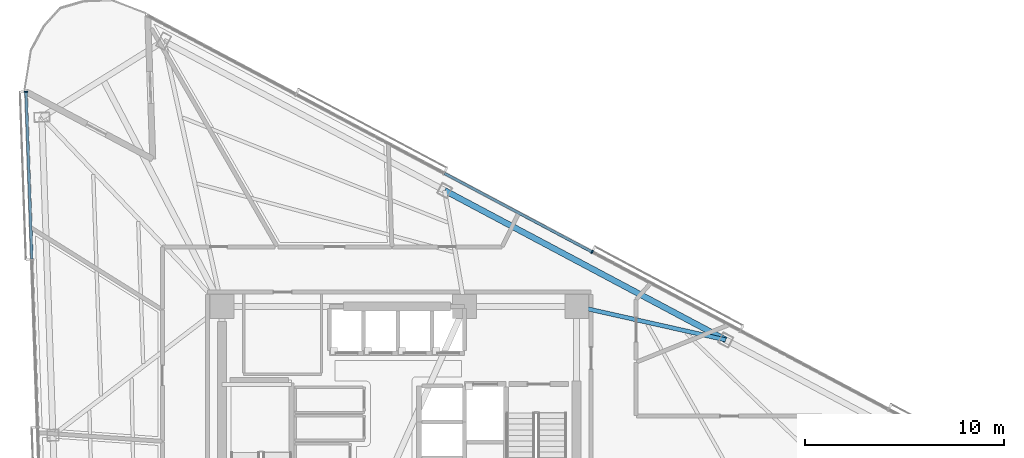
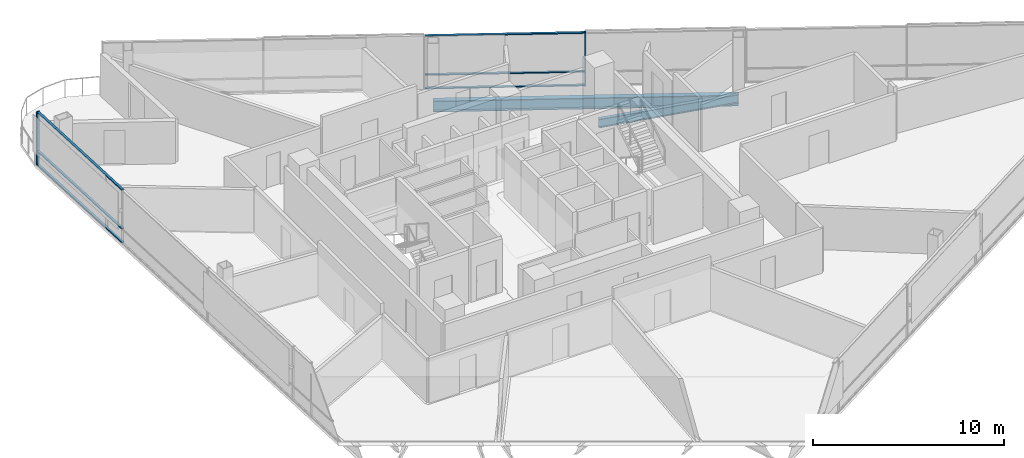
# One storey, part 8 of 20: 8 members, 2 beams, 2 elements without a shape of their own.
"""IFC4 building model written with IfcOpenShell, lengths in metres."""

from ifc_helpers import new_model, si_unit, direction, frame, origin, origin_2d, place, context, subcontext, project, spatial, rectangle, i_section, extrude, material, layer, layer_set, material_profile, profile_set, type_object, element, aggregate, save


model = new_model("IFC4")

# Units and contexts
model_context = context("Model", 3, precision=1e-05, world=origin(), true_north=direction((0.0, 1.0)))
body_context = subcontext(model_context, "Body", "Model", "MODEL_VIEW")
ifc_project = project(units=[si_unit("LENGTHUNIT", "METRE"), si_unit("AREAUNIT", "SQUARE_METRE"), si_unit("VOLUMEUNIT", "CUBIC_METRE"), si_unit("PLANEANGLEUNIT", "RADIAN"), si_unit("MASSUNIT", "GRAM", prefix="KILO")], contexts=[model_context])

# Site, building, storey
site_placement = place(None, origin())
site = spatial("IfcSite", under=ifc_project, at=site_placement, CompositionType="ELEMENT")
building_placement = place(site_placement, origin())
building = spatial("IfcBuilding", under=site, at=building_placement, Name="Tharavind Bronze Gate", CompositionType="ELEMENT")
storey_placement = place(building_placement, frame((0.0, 0.0, 149.60009765625)))
storey = spatial("IfcBuildingStorey", under=building, at=storey_placement, Name="L38", CompositionType="ELEMENT", Elevation=149.60009765625)

# Curtain wall, member
ifc_material_1 = material(Name="Anodised Bronze Aluminium", Category="aluminium")
ifc_layer = layer(ifc_material_1, 0.219970703125)
ifc_layer_set = layer_set([ifc_layer], Name="Anodised Bronze Aluminium")
curtain_wall_type = type_object("IfcCurtainWallType", Name="UNITISED CURTAIN WALL MID OFFICE", PredefinedType="USERDEFINED", material=ifc_layer_set)
curtain_wall_1_placement = place(storey_placement, origin())
curtain_wall_1 = element("IfcCurtainWall", 1, at=curtain_wall_1_placement, inside=storey, type_object=curtain_wall_type, Name="L38 unitised curtain wall mid office CW-L38-S1", ObjectType="UNITISED CURTAIN WALL", PredefinedType="USERDEFINED")
member_type_1 = type_object("IfcMemberType", Name="CURTAIN WALL BRONZE MULLION 65X180", PredefinedType="MULLION", material=ifc_material_1)
member_1_placement = place(storey_placement, frame((-18.7197265625, 18.364501953125, 0.0), z_axis=(0.0, 0.0, 1.0), x_axis=(0.034899496703, -0.999390827019, 0.0)))
member_1 = element("IfcMember", 2, at=member_1_placement, type_object=member_type_1, Name="CW-L38-S1 mullion 1", PredefinedType="MULLION", context=body_context, shape_type="SweptSolid", body=[
    extrude(rectangle(XDim=0.06494140625, YDim=0.179931640625, at=origin_2d()), origin(), (0.0, 0.0, 1.0), 3.409912109375),
])

curtain_wall_2_placement = place(storey_placement, origin())
curtain_wall_2 = element("IfcCurtainWall", 3, at=curtain_wall_2_placement, inside=storey, type_object=curtain_wall_type, Name="L38 unitised curtain wall mid office CW-L38-S3", ObjectType="UNITISED CURTAIN WALL", PredefinedType="USERDEFINED")
member_2_placement = place(storey_placement, frame((9.6748046875, 10.32861328125, 0.0), z_axis=(0.0, 0.0, 1.0), x_axis=(-0.882947592859, 0.469471562786, 0.0)))
member_2 = element("IfcMember", 4, at=member_2_placement, type_object=member_type_1, Name="CW-L38-S3 mullion 4", PredefinedType="MULLION", context=body_context, shape_type="SweptSolid", body=[
    extrude(rectangle(XDim=0.06494140625, YDim=0.179931640625, at=origin_2d()), origin(), (0.0, 0.0, 1.0), 3.409912109375),
])

# Member
member_type_2 = type_object("IfcMemberType", Name="CURTAIN WALL BRONZE TRANSOM 65X140", PredefinedType="USERDEFINED", material=ifc_material_1)
member_3_placement = place(storey_placement, frame((-18.572998046875, 14.159912109375, 0.0), z_axis=(0.0, 0.0, 1.0), x_axis=(0.034899496703, -0.999390827019, 0.0)))
member_3 = element("IfcMember", 5, at=member_3_placement, type_object=member_type_2, Name="CW-L38-S1 transom TB1", ObjectType="TRANSOM", PredefinedType="USERDEFINED", context=body_context, shape_type="SweptSolid", body=[
    extrude(rectangle(XDim=8.361572265625, YDim=0.139892578125, at=origin_2d()), origin(), (0.0, 0.0, 1.0), 0.06494140625),
])

member_4_placement = place(storey_placement, frame((-18.572998046875, 14.159912109375, 0.867431640625), z_axis=(0.0, 0.0, 1.0), x_axis=(0.034899496703, -0.999390827019, 0.0)))
member_4 = element("IfcMember", 6, at=member_4_placement, type_object=member_type_2, Name="CW-L38-S1 transom TS1", ObjectType="TRANSOM", PredefinedType="USERDEFINED", context=body_context, shape_type="SweptSolid", body=[
    extrude(rectangle(XDim=8.361572265625, YDim=0.139892578125, at=origin_2d()), origin(), (0.0, 0.0, 1.0), 0.06494140625),
])

member_5_placement = place(storey_placement, frame((-18.572998046875, 14.159912109375, 3.344970703125), z_axis=(0.0, 0.0, 1.0), x_axis=(0.034899496703, -0.999390827019, 0.0)))
member_5 = element("IfcMember", 7, at=member_5_placement, type_object=member_type_2, Name="CW-L38-S1 transom TT1", ObjectType="TRANSOM", PredefinedType="USERDEFINED", context=body_context, shape_type="SweptSolid", body=[
    extrude(rectangle(XDim=8.361572265625, YDim=0.139892578125, at=origin_2d()), origin(), (0.0, 0.0, 1.0), 0.06494140625),
])

aggregate(curtain_wall_1, [member_1, member_3, member_4, member_5])

member_6_placement = place(storey_placement, frame((5.960205078125, 12.303955078125, 0.0), z_axis=(0.0, 0.0, 1.0), x_axis=(-0.882947592859, 0.469471562786, 0.0)))
member_6 = element("IfcMember", 8, at=member_6_placement, type_object=member_type_2, Name="CW-L38-S3 transom TB4", ObjectType="TRANSOM", PredefinedType="USERDEFINED", context=body_context, shape_type="SweptSolid", body=[
    extrude(rectangle(XDim=8.361572265625, YDim=0.139892578125, at=origin_2d()), origin(), (0.0, 0.0, 1.0), 0.06494140625),
])

member_7_placement = place(storey_placement, frame((5.960205078125, 12.303955078125, 0.867431640625), z_axis=(0.0, 0.0, 1.0), x_axis=(-0.882947592859, 0.469471562786, 0.0)))
member_7 = element("IfcMember", 9, at=member_7_placement, type_object=member_type_2, Name="CW-L38-S3 transom TS4", ObjectType="TRANSOM", PredefinedType="USERDEFINED", context=body_context, shape_type="SweptSolid", body=[
    extrude(rectangle(XDim=8.361572265625, YDim=0.139892578125, at=origin_2d()), origin(), (0.0, 0.0, 1.0), 0.06494140625),
])

member_8_placement = place(storey_placement, frame((5.960205078125, 12.303955078125, 3.344970703125), z_axis=(0.0, 0.0, 1.0), x_axis=(-0.882947592859, 0.469471562786, 0.0)))
member_8 = element("IfcMember", 10, at=member_8_placement, type_object=member_type_2, Name="CW-L38-S3 transom TT4", ObjectType="TRANSOM", PredefinedType="USERDEFINED", context=body_context, shape_type="SweptSolid", body=[
    extrude(rectangle(XDim=8.361572265625, YDim=0.139892578125, at=origin_2d()), origin(), (0.0, 0.0, 1.0), 0.06494140625),
])

aggregate(curtain_wall_2, [member_2, member_6, member_7, member_8])

# Beams
ifc_material_2 = material(Name="Steel S355", Category="steel")
ifc_material_profile_1 = material_profile(ifc_material_2, i_section(OverallWidth=0.2099609375, OverallDepth=0.550048828125, WebThickness=0.010986328125, FlangeThickness=0.01708984375, at=origin_2d()), Name="IPE550")
ifc_profile_set_1 = profile_set([ifc_material_profile_1], Name="Steel S355")
beam_type_1 = type_object("IfcBeamType", Name="PRIMARY GIRDER IPE550", PredefinedType="USERDEFINED", material=ifc_profile_set_1)
beam_1_placement = place(storey_placement, frame((16.3701171875, 5.91943359375, -0.465087890625), z_axis=(-0.97561351158, 0.219495503422, 0.0), x_axis=(-0.219495503422, -0.97561351158, 0.0)))
element("IfcBeam", 11, at=beam_1_placement, inside=storey, type_object=beam_type_1, Name="L38 primary girder ipe550 BM-L38-RAD10", ObjectType="GIRDER", PredefinedType="USERDEFINED", context=body_context, shape_type="SweptSolid", body=[
    extrude(i_section(OverallWidth=0.2099609375, OverallDepth=0.550048828125, WebThickness=0.010986328125, FlangeThickness=0.01708984375, at=origin_2d()), origin(), (0.0, 0.0, 1.0), 7.656982421875),
])
ifc_material_profile_2 = material_profile(ifc_material_2, i_section(OverallWidth=0.300048828125, OverallDepth=0.699951171875, WebThickness=0.01708984375, FlangeThickness=0.031982421875, at=origin_2d()), Name="HE700B")
ifc_profile_set_2 = profile_set([ifc_material_profile_2], Name="Steel S355")
beam_type_2 = type_object("IfcBeamType", Name="RING GIRDER HE700B", PredefinedType="USERDEFINED", material=ifc_profile_set_2)
beam_2_placement = place(storey_placement, frame((16.3701171875, 5.91943359375, -0.5400390625), z_axis=(-0.882948335869, 0.469470165385, 0.0), x_axis=(-0.469470165385, -0.882948335869, 0.0)))
element("IfcBeam", 12, at=beam_2_placement, inside=storey, type_object=beam_type_2, Name="L38 ring girder he700b BM-L38-PRG10", ObjectType="GIRDER", PredefinedType="USERDEFINED", context=body_context, shape_type="SweptSolid", body=[
    extrude(i_section(OverallWidth=0.300048828125, OverallDepth=0.699951171875, WebThickness=0.01708984375, FlangeThickness=0.031982421875, at=origin_2d()), origin(), (0.0, 0.0, 1.0), 15.962890625),
])

save(model, "model.ifc")
